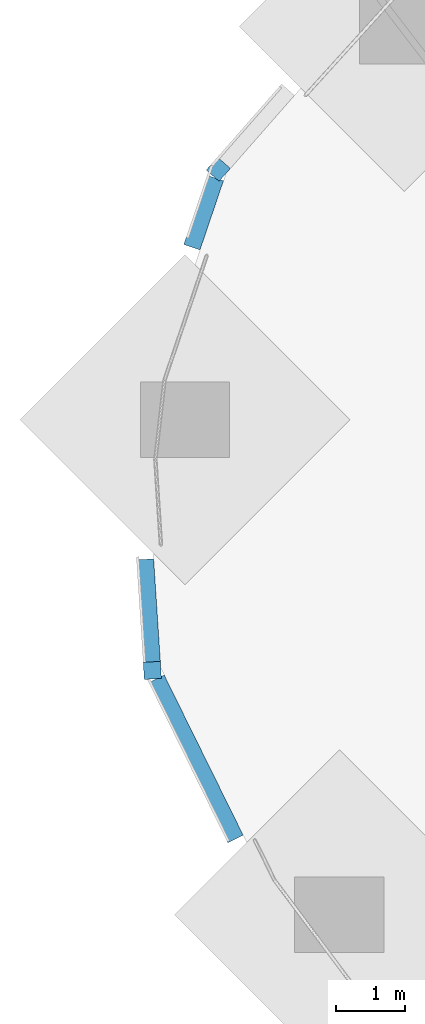
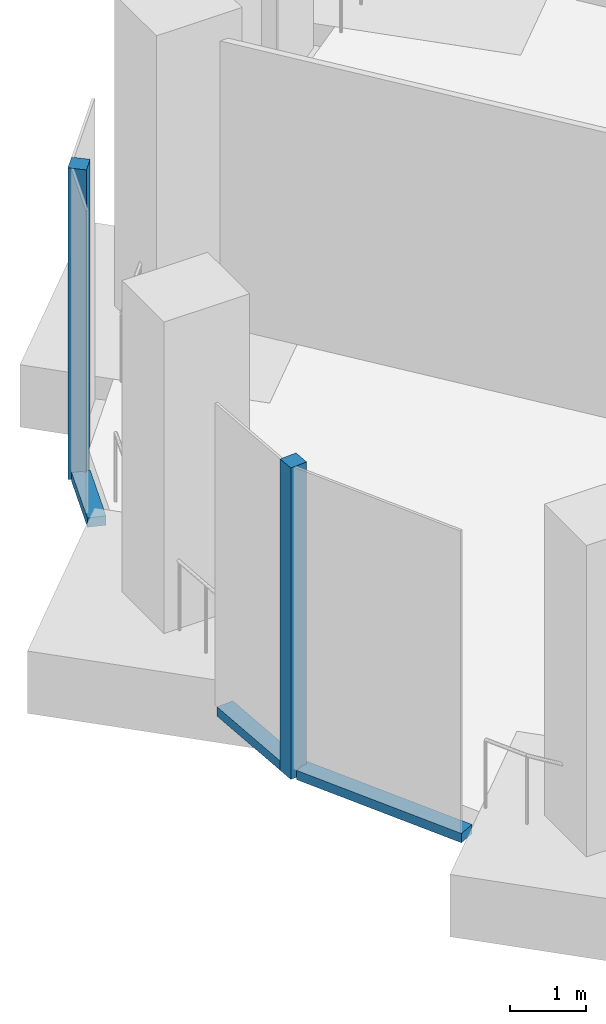
# One storey, part 3 of 27: 5 members, 4 elements without a shape of their own.
"""IFC4 building model written with IfcOpenShell, lengths in metres."""

from ifc_helpers import new_model, si_unit, direction, frame, origin, origin_2d, place, context, subcontext, project, spatial, rectangle, extrude, material, material_profile, profile_set, type_object, element, aggregate, save


model = new_model("IFC4")

# Units and contexts
model_context = context("Model", 3, precision=1e-05, world=origin(), true_north=direction((0.0, 1.0)))
body_context = subcontext(model_context, "Body", "Model", "MODEL_VIEW")
ifc_project = project(units=[si_unit("LENGTHUNIT", "METRE"), si_unit("AREAUNIT", "SQUARE_METRE"), si_unit("VOLUMEUNIT", "CUBIC_METRE"), si_unit("PLANEANGLEUNIT", "RADIAN"), si_unit("MASSUNIT", "GRAM", prefix="KILO")], contexts=[model_context])

# Site, building, storey
site_placement = place(None, origin())
site = spatial("IfcSite", under=ifc_project, at=site_placement, CompositionType="ELEMENT")
building_placement = place(site_placement, origin())
building = spatial("IfcBuilding", under=site, at=building_placement, Name="Orlundy Tower", CompositionType="ELEMENT")
storey_placement = place(building_placement, frame((0.0, 0.0, 10.5)))
storey = spatial("IfcBuildingStorey", under=building, at=storey_placement, Name="L01", CompositionType="ELEMENT", Elevation=10.5)

# Curtain wall, member
ifc_material_1 = material(Name="Aluminium bronze anodised", Category="aluminium")
curtain_wall_type = type_object("IfcCurtainWallType", Name="CW2 wall", PredefinedType="NOTDEFINED", material=ifc_material_1)
curtain_wall_1_placement = place(storey_placement, origin())
curtain_wall_1 = element("IfcCurtainWall", 1, at=curtain_wall_1_placement, inside=storey, type_object=curtain_wall_type, Name="CW2 run 09", PredefinedType="NOTDEFINED")
ifc_material_2 = material(Name="Aluminium bronze anodised", Category="aluminium")
ifc_material_profile_1 = material_profile(ifc_material_2, rectangle(XDim=0.25, YDim=0.25, at=origin_2d()), Name="CW2 corner post 250x250")
ifc_profile_set_1 = profile_set([ifc_material_profile_1], Name="Aluminium bronze anodised")
member_type_1 = type_object("IfcMemberType", Name="CW2 corner post 250x250", PredefinedType="MULLION", material=ifc_profile_set_1)
member_1_placement = place(storey_placement, frame((-55.359130859375, -24.60009765625, -0.39990234375), z_axis=(0.0, 0.0, 1.0), x_axis=(-0.997866755389, -0.065283523877, 0.0)))
member_1 = element("IfcMember", 2, at=member_1_placement, type_object=member_type_1, Name="CW2 mullion 23", PredefinedType="MULLION", context=body_context, shape_type="SweptSolid", body=[
    extrude(rectangle(XDim=0.25, YDim=0.25, at=origin_2d()), origin(), (0.0, 0.0, 1.0), 5.0),
])

curtain_wall_2_placement = place(storey_placement, origin())
curtain_wall_2 = element("IfcCurtainWall", 3, at=curtain_wall_2_placement, inside=storey, type_object=curtain_wall_type, Name="CW2 run 011", PredefinedType="NOTDEFINED")
member_2_placement = place(storey_placement, frame((-54.3974609375, -17.294189453125, -0.39990234375), z_axis=(0.0, 0.0, 1.0), x_axis=(-0.751857647447, 0.65932547196, 0.0)))
member_2 = element("IfcMember", 4, at=member_2_placement, type_object=member_type_1, Name="CW2 mullion 25", PredefinedType="MULLION", context=body_context, shape_type="SweptSolid", body=[
    extrude(rectangle(XDim=0.25, YDim=0.25, at=origin_2d()), origin(), (0.0, 0.0, 1.0), 5.0),
])
aggregate(curtain_wall_2, [member_2])

curtain_wall_3_placement = place(storey_placement, origin())
curtain_wall_3 = element("IfcCurtainWall", 5, at=curtain_wall_3_placement, inside=storey, type_object=curtain_wall_type, Name="CW2 run 08", PredefinedType="NOTDEFINED")
ifc_material_3 = material(Name="Aluminium bronze anodised", Category="aluminium")
ifc_material_profile_2 = material_profile(ifc_material_3, rectangle(XDim=0.25, YDim=0.14990234375, at=origin_2d()), Name="CW2 transom 250x150")
ifc_profile_set_2 = profile_set([ifc_material_profile_2], Name="Aluminium bronze anodised")
member_type_2 = type_object("IfcMemberType", Name="CW2 transom 250x150", PredefinedType="USERDEFINED", material=ifc_profile_set_2)
member_3_placement = place(storey_placement, frame((-54.146728515625, -27.05859375, -0.324951171875), z_axis=(-0.442297645752, 0.896868325097, 0.0), x_axis=(-0.896868325097, -0.442297645752, 0.0)))
member_3 = element("IfcMember", 6, at=member_3_placement, type_object=member_type_2, Name="CW2 transom", ObjectType="TRANSOM", PredefinedType="USERDEFINED", context=body_context, shape_type="SweptSolid", body=[
    extrude(rectangle(XDim=0.25, YDim=0.14990234375, at=origin_2d()), origin(), (0.0, 0.0, 1.0), 2.60595703125),
])
aggregate(curtain_wall_3, [member_3])

# Member
member_4_placement = place(storey_placement, frame((-55.3671875, -24.475341796875, -0.324951171875), z_axis=(-0.065382674143, 0.997860263725, 0.0), x_axis=(-0.997860263725, -0.065382674143, 0.0)))
member_4 = element("IfcMember", 7, at=member_4_placement, type_object=member_type_2, Name="CW2 transom", ObjectType="TRANSOM", PredefinedType="USERDEFINED", context=body_context, shape_type="SweptSolid", body=[
    extrude(rectangle(XDim=0.25, YDim=0.14990234375, at=origin_2d()), origin(), (0.0, 0.0, 1.0), 1.497314453125),
])

aggregate(curtain_wall_1, [member_1, member_4])

# Curtain wall, member
curtain_wall_4_placement = place(storey_placement, origin())
curtain_wall_4 = element("IfcCurtainWall", 8, at=curtain_wall_4_placement, inside=storey, type_object=curtain_wall_type, Name="CW2 run 010", PredefinedType="NOTDEFINED")
member_5_placement = place(storey_placement, frame((-54.782958984375, -18.4306640625, -0.324951171875), z_axis=(0.321244937711, 0.946996140433, 0.0), x_axis=(-0.946996140433, 0.321244937711, 0.0)))
member_5 = element("IfcMember", 9, at=member_5_placement, type_object=member_type_2, Name="CW2 transom", ObjectType="TRANSOM", PredefinedType="USERDEFINED", context=body_context, shape_type="SweptSolid", body=[
    extrude(rectangle(XDim=0.25, YDim=0.14990234375, at=origin_2d()), origin(), (0.0, 0.0, 1.0), 1.064697265625),
])
aggregate(curtain_wall_4, [member_5])

save(model, "model.ifc")
